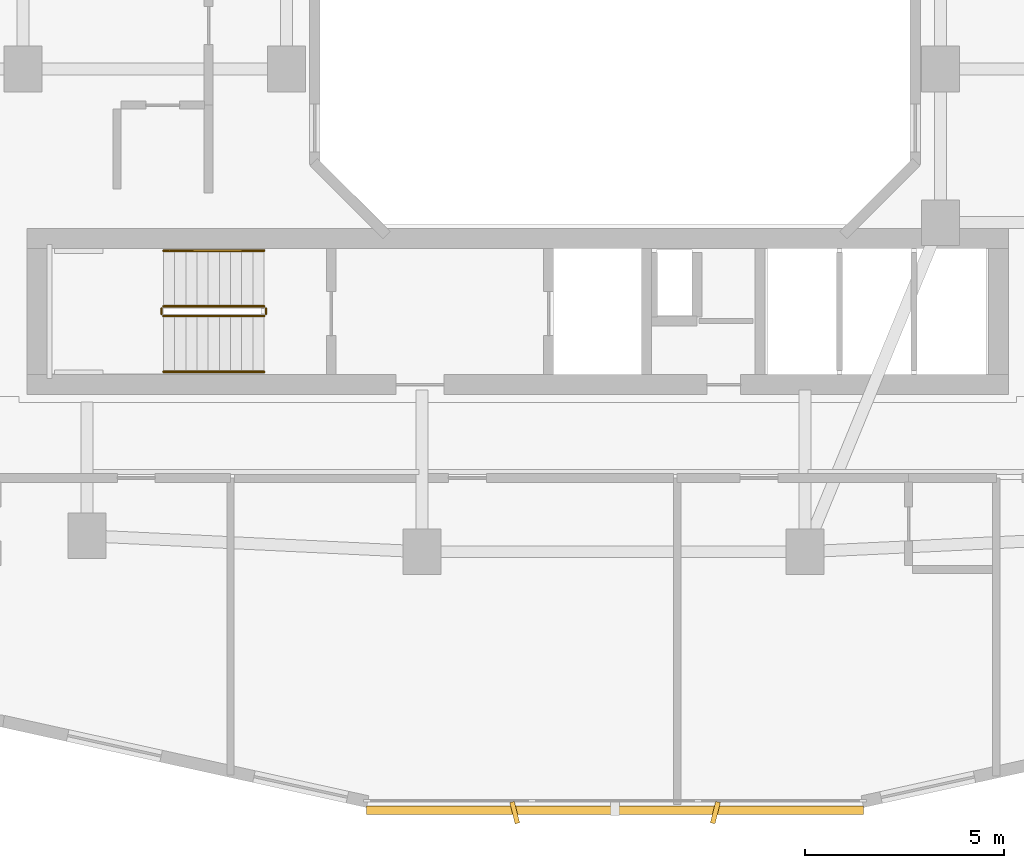
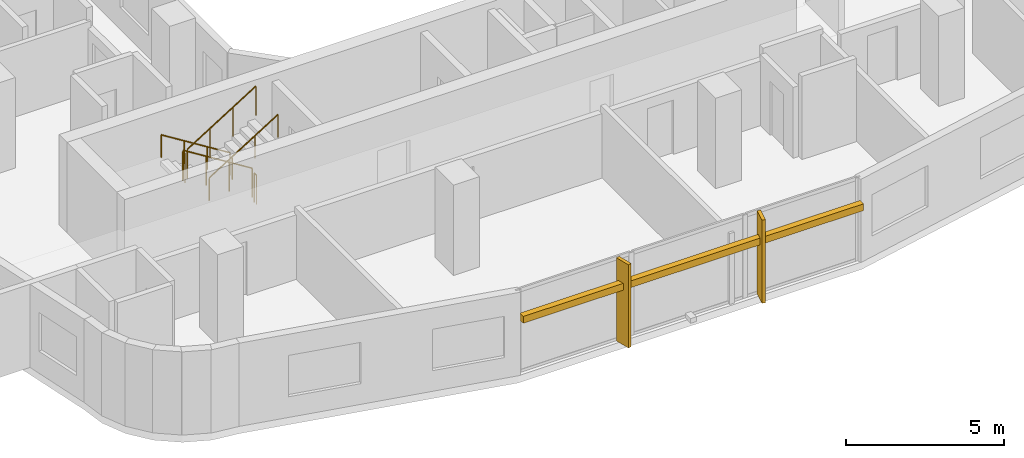
# One storey, part 23 of 27: 6 railings, 3 shading devices.
"""IFC4 building model written with IfcOpenShell, lengths in metres."""

from ifc_helpers import new_model, si_unit, derived_unit, direction, frame, origin, origin_2d, place, context, subcontext, project, spatial, rectangle, circle, extrude, material, type_object, element, save


model = new_model("IFC4")

# Units and contexts
model_context = context("Model", 3, precision=1e-05, world=origin(), true_north=direction((0.0, 1.0)))
body_context = subcontext(model_context, "Body", "Model", "MODEL_VIEW")
ifc_project = project(units=[si_unit("LENGTHUNIT", "METRE"), si_unit("AREAUNIT", "SQUARE_METRE"), si_unit("VOLUMEUNIT", "CUBIC_METRE"), si_unit("PLANEANGLEUNIT", "RADIAN"), si_unit("MASSUNIT", "GRAM", prefix="KILO"), derived_unit("THERMALTRANSMITTANCEUNIT", [(si_unit("POWERUNIT", "WATT"), 1), (si_unit("LENGTHUNIT", "METRE"), -2), (si_unit("THERMODYNAMICTEMPERATUREUNIT", "KELVIN"), -1)])], contexts=[model_context])

# Site, building, storey
site_placement = place(None, origin())
site = spatial("IfcSite", under=ifc_project, at=site_placement, CompositionType="ELEMENT")
building_placement = place(site_placement, origin())
building = spatial("IfcBuilding", under=site, at=building_placement, Name="Kivonza Crest Hotel", CompositionType="ELEMENT")
storey_placement = place(building_placement, frame((0.0, 0.0, 73.0)))
storey = spatial("IfcBuildingStorey", under=building, at=storey_placement, Name="L19", CompositionType="ELEMENT", Elevation=73.0)

# Railings
ifc_material_1 = material(Name="Brushed stainless steel handrail", Category="steel")
railing_type_1 = type_object("IfcRailingType", Name="RL-HAND-900", PredefinedType="HANDRAIL", material=ifc_material_1)
railing_1_placement = place(storey_placement, frame((12.239990234375, 16.949951171875, 0.175048828125)))
element("IfcRailing", 1, at=railing_1_placement, inside=storey, type_object=railing_type_1, Name="L19 ST-T1-S stair handrail 1", PredefinedType="HANDRAIL", context=body_context, shape_type="SweptSolid", body=[
    extrude(circle(Radius=0.02392578125, at=origin_2d()), frame((0.0, 0.0, 0.8759765625), z_axis=(-0.848007534815, 0.0, 0.529984170421), x_axis=(0.0, -1.0, 0.0)), (0.0, 0.0, 1.0), 2.9716796875),
    extrude(circle(Radius=0.02099609375, at=origin_2d()), origin(), (0.0, 0.0, 1.0), 0.851806640625),
    extrude(circle(Radius=0.02099609375, at=origin_2d()), frame((-0.840087890625, 0.0, 0.52490234375)), (0.0, 0.0, 1.0), 0.851806640625),
    extrude(circle(Radius=0.02099609375, at=origin_2d()), frame((-1.679931640625, 0.0, 1.050048828125)), (0.0, 0.0, 1.0), 0.851806640625),
    extrude(circle(Radius=0.02099609375, at=origin_2d()), frame((-2.52001953125, 0.0, 1.574951171875)), (0.0, 0.0, 1.0), 0.851806640625),
])
railing_2_placement = place(storey_placement, frame((9.719970703125, 13.909912109375, 1.925048828125)))
element("IfcRailing", 2, at=railing_2_placement, inside=storey, type_object=railing_type_1, Name="L19 ST-T1-S stair handrail 2", PredefinedType="HANDRAIL", context=body_context, shape_type="SweptSolid", body=[
    extrude(circle(Radius=0.02392578125, at=origin_2d()), frame((0.0, 0.0, 0.8759765625), z_axis=(0.848007534815, 0.0, 0.529984170421), x_axis=(0.0, 1.0, 0.0)), (0.0, 0.0, 1.0), 2.9716796875),
    extrude(circle(Radius=0.02099609375, at=origin_2d()), origin(), (0.0, 0.0, 1.0), 0.851806640625),
    extrude(circle(Radius=0.02099609375, at=origin_2d()), frame((0.840087890625, 0.0, 0.52490234375)), (0.0, 0.0, 1.0), 0.851806640625),
    extrude(circle(Radius=0.02099609375, at=origin_2d()), frame((1.679931640625, 0.0, 1.050048828125)), (0.0, 0.0, 1.0), 0.851806640625),
    extrude(circle(Radius=0.02099609375, at=origin_2d()), frame((2.52001953125, 0.0, 1.574951171875)), (0.0, 0.0, 1.0), 0.851806640625),
])
ifc_material_2 = material(Name="Painted steel balustrade", Category="steel")
railing_type_2 = type_object("IfcRailingType", Name="RL-STAIR-1150", PredefinedType="BALUSTRADE", material=ifc_material_2)
railing_3_placement = place(storey_placement, frame((12.239990234375, 15.550048828125, 0.175048828125)))
element("IfcRailing", 3, at=railing_3_placement, inside=storey, type_object=railing_type_2, Name="L19 ST-T1-S stair guard 1", PredefinedType="BALUSTRADE", context=body_context, shape_type="SweptSolid", body=[
    extrude(circle(Radius=0.02392578125, at=origin_2d()), frame((0.0, 0.0, 1.1259765625), z_axis=(-0.848007534815, 0.0, 0.529984170421), x_axis=(0.0, -1.0, 0.0)), (0.0, 0.0, 1.0), 2.9716796875),
    extrude(circle(Radius=0.02099609375, at=origin_2d()), origin(), (0.0, 0.0, 1.0), 1.101806640625),
    extrude(circle(Radius=0.02099609375, at=origin_2d()), frame((-0.840087890625, 0.0, 0.52490234375)), (0.0, 0.0, 1.0), 1.101806640625),
    extrude(circle(Radius=0.02099609375, at=origin_2d()), frame((-1.679931640625, 0.0, 1.050048828125)), (0.0, 0.0, 1.0), 1.101806640625),
    extrude(circle(Radius=0.02099609375, at=origin_2d()), frame((-2.52001953125, 0.0, 1.574951171875)), (0.0, 0.0, 1.0), 1.101806640625),
])
railing_4_placement = place(storey_placement, frame((9.669921875, 15.5, 1.75)))
element("IfcRailing", 4, at=railing_4_placement, inside=storey, type_object=railing_type_2, Name="L19 ST-T1-S stair guard 2", PredefinedType="BALUSTRADE", context=body_context, shape_type="SweptSolid", body=[
    extrude(circle(Radius=0.02392578125, at=origin_2d()), frame((0.0, 0.0, 1.1259765625), z_axis=(0.0, -1.0, 0.0), x_axis=(1.0, 0.0, 0.0)), (0.0, 0.0, 1.0), 0.139892578125),
    extrude(circle(Radius=0.02099609375, at=origin_2d()), origin(), (0.0, 0.0, 1.0), 1.101806640625),
    extrude(circle(Radius=0.02099609375, at=origin_2d()), frame((0.0, -0.139892578125, 0.0)), (0.0, 0.0, 1.0), 1.101806640625),
])
railing_5_placement = place(storey_placement, frame((9.719970703125, 15.31005859375, 1.925048828125)))
element("IfcRailing", 5, at=railing_5_placement, inside=storey, type_object=railing_type_2, Name="L19 ST-T1-S stair guard 3", PredefinedType="BALUSTRADE", context=body_context, shape_type="SweptSolid", body=[
    extrude(circle(Radius=0.02392578125, at=origin_2d()), frame((0.0, 0.0, 1.1259765625), z_axis=(0.848007534815, 0.0, 0.529984170421), x_axis=(0.0, 1.0, 0.0)), (0.0, 0.0, 1.0), 2.9716796875),
    extrude(circle(Radius=0.02099609375, at=origin_2d()), origin(), (0.0, 0.0, 1.0), 1.101806640625),
    extrude(circle(Radius=0.02099609375, at=origin_2d()), frame((0.840087890625, 0.0, 0.52490234375)), (0.0, 0.0, 1.0), 1.101806640625),
    extrude(circle(Radius=0.02099609375, at=origin_2d()), frame((1.679931640625, 0.0, 1.050048828125)), (0.0, 0.0, 1.0), 1.101806640625),
    extrude(circle(Radius=0.02099609375, at=origin_2d()), frame((2.52001953125, 0.0, 1.574951171875)), (0.0, 0.0, 1.0), 1.101806640625),
])
railing_6_placement = place(storey_placement, frame((12.2900390625, 15.5, 0.0)))
element("IfcRailing", 6, at=railing_6_placement, inside=storey, type_object=railing_type_2, Name="L19 ST-T1-S stair guard 4", PredefinedType="BALUSTRADE", context=body_context, shape_type="SweptSolid", body=[
    extrude(circle(Radius=0.02392578125, at=origin_2d()), frame((0.0, 0.0, 1.1259765625), z_axis=(0.0, -1.0, 0.0), x_axis=(1.0, 0.0, 0.0)), (0.0, 0.0, 1.0), 0.139892578125),
    extrude(circle(Radius=0.02099609375, at=origin_2d()), origin(), (0.0, 0.0, 1.0), 1.101806640625),
    extrude(circle(Radius=0.02099609375, at=origin_2d()), frame((0.0, -0.139892578125, 0.0)), (0.0, 0.0, 1.0), 1.101806640625),
])

# Shading devices
ifc_material_3 = material(Name="Kiln-fired Nairobi red-ochre terracotta", Category="masonry")
shading_device_type_1 = type_object("IfcShadingDeviceType", Name="SH-BAGUETTE-300", PredefinedType="USERDEFINED", material=ifc_material_3)
shading_device_placement = place(storey_placement, frame((21.0400390625, 2.919921875, 2.1240234375), z_axis=(0.0, 0.0, 1.0), x_axis=(1.0, 0.0, 0.0)))
element("IfcShadingDevice", 7, at=shading_device_placement, inside=storey, type_object=shading_device_type_1, Name="L19 terracotta baguette screen CW-T1-L19-08", ObjectType="BAGUETTE", PredefinedType="USERDEFINED", context=body_context, shape_type="SweptSolid", body=[
    extrude(rectangle(XDim=12.4560546875, YDim=0.219970703125, at=origin_2d()), origin(), (0.0, 0.0, 1.0), 0.260009765625),
])
ifc_material_4 = material(Name="Kiln-fired terracotta over extruded aluminium spine", Category="masonry")
shading_device_type_2 = type_object("IfcShadingDeviceType", Name="SH-FIN-550", PredefinedType="USERDEFINED", material=ifc_material_4)
for number, where, z_axis, x_axis, name in (
    (8, (18.52490234375, 2.860107421875, 0.0), (0.0, 0.0, 1.0), (0.970295726276, 0.2419218956, 0.0), "L19 vertical solar shading fin CW-T1-L19-08-1"),
    (9, (23.554931640625, 2.860107421875, 0.0), (0.0, 0.0, 1.0), (0.970295726276, -0.2419218956, 0.0), "L19 vertical solar shading fin CW-T1-L19-08-2"),
):
    element("IfcShadingDevice", number, at=place(storey_placement, frame(where, z_axis=z_axis, x_axis=x_axis)), inside=storey, type_object=shading_device_type_2, Name=name, ObjectType="FIN", PredefinedType="USERDEFINED", context=body_context, shape_type="SweptSolid", body=[
        extrude(rectangle(XDim=0.1201171875, YDim=0.550048828125, at=origin_2d()), origin(), (0.0, 0.0, 1.0), 3.219970703125),
    ])

save(model, "model.ifc")
